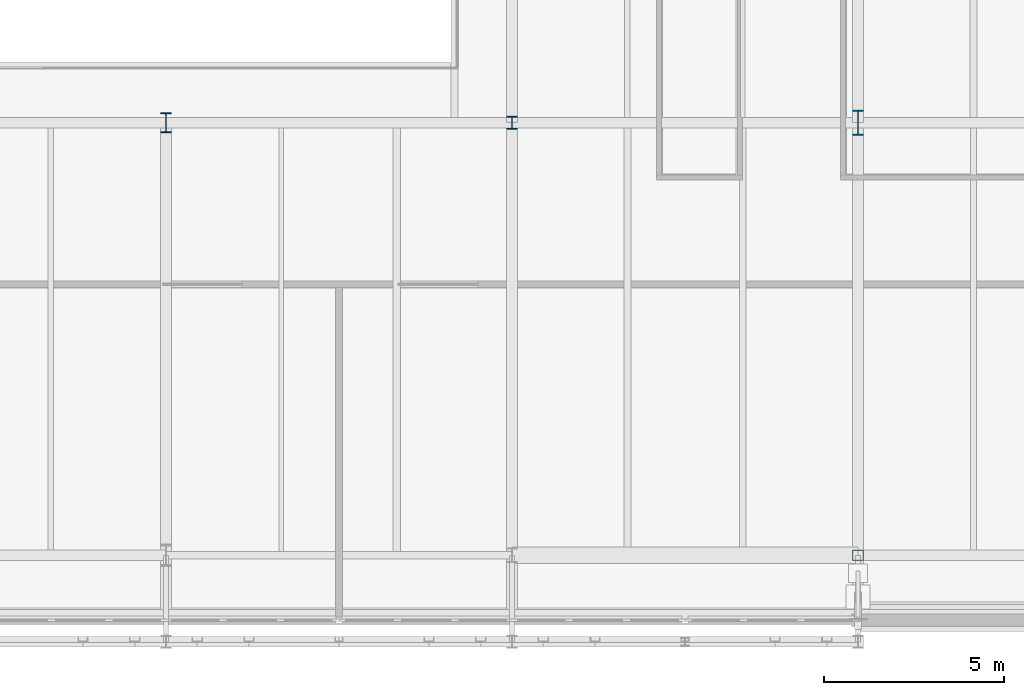
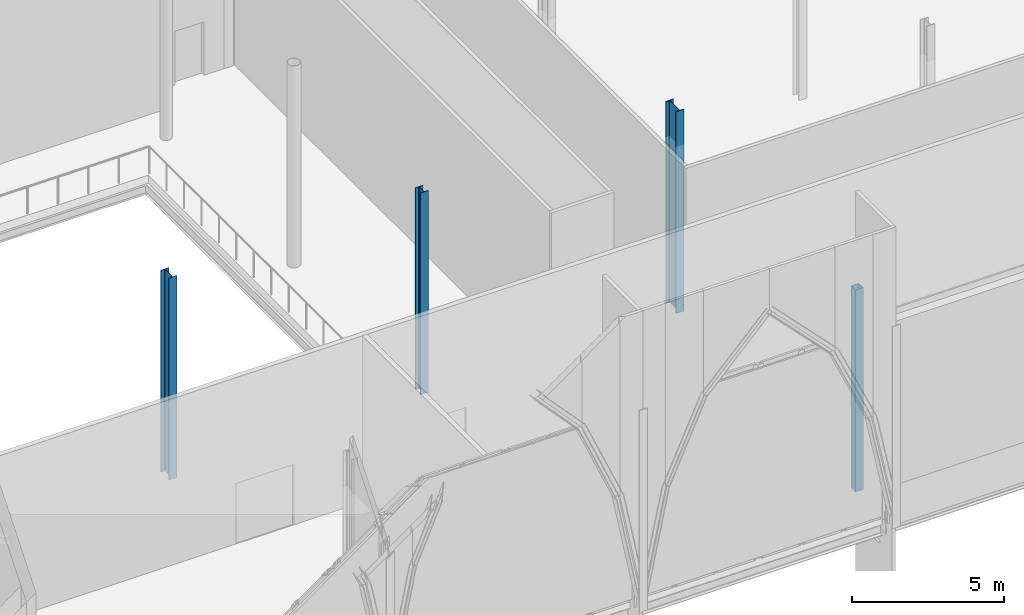
# One storey, part 5 of 79: 4 columns.
"""IFC4 building model written with IfcOpenShell, lengths in metres."""

import ifcopenshell
import ifcopenshell.guid

model = None  # the IFC model being written
_history = None  # IfcOwnerHistory: only IFC2X3 demands one
_inside = {}  # id of a spatial element -> (the spatial element, [elements in it])
_under = {}  # id of a project, library or spatial element -> (it, [spatial elements below it])
_declared = {}  # id of a project -> (the project, [libraries it declares])
_typed = {}  # id of a type object -> (the type object, [elements of that type])
_made_of = {}  # id of a material, layer set ... -> (it, [elements and type objects made of it])


def new_model(schema):
    """Start an empty IFC model of exactly this schema.

    Asked for "IFC4X3", IfcOpenShell would pick the latest addendum, in which some entities
    have other attributes; the version numbers below select the first issue.
    IFC2X3 requires an IfcOwnerHistory on every rooted entity: one is made here for all.
    """
    global model, _history
    if schema == "IFC4X3":
        model = ifcopenshell.file(schema_version=(4, 3, 0, 0))
    else:
        model = ifcopenshell.file(schema=schema)
    _inside.clear()
    _under.clear()
    _declared.clear()
    _typed.clear()
    _made_of.clear()
    _history = None
    if model.schema == "IFC2X3":
        org = make("IfcOrganization", Name="unknown")
        user = make(
            "IfcPersonAndOrganization",
            ThePerson=make("IfcPerson", FamilyName="unknown"),
            TheOrganization=org,
        )
        app = make(
            "IfcApplication",
            ApplicationDeveloper=org,
            Version="unknown",
            ApplicationFullName="unknown",
            ApplicationIdentifier="unknown",
        )
        _history = make(
            "IfcOwnerHistory",
            OwningUser=user,
            OwningApplication=app,
            ChangeAction="ADDED",
            CreationDate=0,
        )
    return model


def make(cls, **values):
    """One entity of the class cls with the attributes given. An attribute that is None is left unset."""
    return model.create_entity(
        cls, **{name: value for name, value in values.items() if value is not None}
    )


def rooted(cls, **values):
    """An entity with a GlobalId (a new one), such as an element, a storey or a relation."""
    return make(cls, GlobalId=ifcopenshell.guid.new(), OwnerHistory=_history, **values)


def si_unit(unit_type, name, prefix=None):
    """IfcSIUnit, for example si_unit("LENGTHUNIT", "METRE", prefix="MILLI")."""
    return make("IfcSIUnit", UnitType=unit_type, Prefix=prefix, Name=name)


def assignment(units):
    """IfcUnitAssignment: the units of a project."""
    return None if units is None else make("IfcUnitAssignment", Units=units)


def point(xyz):
    """IfcCartesianPoint."""
    return None if xyz is None else make("IfcCartesianPoint", Coordinates=xyz)


def direction(xyz):
    """IfcDirection."""
    return None if xyz is None else make("IfcDirection", DirectionRatios=xyz)


def frame(location, z_axis=None, x_axis=None):
    """IfcAxis2Placement3D, a coordinate frame: its origin and axes. An axis left out is left unset."""
    return make(
        "IfcAxis2Placement3D",
        Location=point(location),
        Axis=direction(z_axis),
        RefDirection=direction(x_axis),
    )


def frame_2d(location, x_axis=None):
    """IfcAxis2Placement2D, a coordinate frame in the plane: its origin and x axis."""
    return make(
        "IfcAxis2Placement2D", Location=point(location), RefDirection=direction(x_axis)
    )


def origin():
    """The frame at (0, 0, 0) with its axes left unset."""
    return frame((0.0, 0.0, 0.0))


def origin_2d():
    """The frame at (0, 0) in the plane with its x axis left unset."""
    return frame_2d((0.0, 0.0))


def place(relative_to, where):
    """IfcLocalPlacement: puts the frame where relative to a parent placement (None: the world)."""
    return make(
        "IfcLocalPlacement", PlacementRelTo=relative_to, RelativePlacement=where
    )


def context(
    kind, dimensions, precision=None, world=None, true_north=None, identifier=None
):
    """IfcGeometricRepresentationContext, for example the 3D "Model" context."""
    return make(
        "IfcGeometricRepresentationContext",
        ContextIdentifier=identifier,
        ContextType=kind,
        CoordinateSpaceDimension=dimensions,
        Precision=precision,
        WorldCoordinateSystem=world,
        TrueNorth=true_north,
    )


def subcontext(parent, identifier, kind, view, scale=None):
    """IfcGeometricRepresentationSubContext, for example "Body" below "Model"."""
    return make(
        "IfcGeometricRepresentationSubContext",
        ContextIdentifier=identifier,
        ContextType=kind,
        ParentContext=parent,
        TargetScale=scale,
        TargetView=view,
    )


def project(units=None, contexts=None):
    """IfcProject with its units and contexts."""
    return rooted(
        "IfcProject",
        Name="project",
        RepresentationContexts=contexts,
        UnitsInContext=assignment(units),
    )


def spatial(cls, under=None, at=None, **own):
    """A site, building, storey or space (cls), placed at a placement, below another one or the project."""
    s = rooted(cls, ObjectPlacement=at, **own)
    if under is not None:
        _under.setdefault(under.id(), (under, []))[1].append(s)
    return s


def profile(cls, at=None, kind="AREA", **sizes):
    """A parametric profile (cls). Its sizes go by their IFC names, for example OverallWidth=200.0."""
    return make(cls, ProfileType=kind, Position=at, **sizes)


def hollow_rectangle(**sizes):
    """IfcRectangleHollowProfileDef."""
    return profile("IfcRectangleHollowProfileDef", **sizes)


def i_section(**sizes):
    """IfcIShapeProfileDef."""
    return profile("IfcIShapeProfileDef", **sizes)


def extrude(swept, where, along, depth):
    """IfcExtrudedAreaSolid: the profile swept, set in the frame where, extruded along a direction by depth."""
    return make(
        "IfcExtrudedAreaSolid",
        SweptArea=swept,
        Position=where,
        ExtrudedDirection=direction(along),
        Depth=depth,
    )


def shape(context_of_items, identifier, shape_type, items):
    """IfcShapeRepresentation: the items that make up one representation, for example the "Body"."""
    return make(
        "IfcShapeRepresentation",
        ContextOfItems=context_of_items,
        RepresentationIdentifier=identifier,
        RepresentationType=shape_type,
        Items=items,
    )


def material(Name=None, Category=None):
    """IfcMaterial."""
    return make("IfcMaterial", Name=Name, Category=Category)


def material_profile(
    of_material, cross_section, Name=None, Category=None, Priority=None
):
    """IfcMaterialProfile: a cross section and its material."""
    return make(
        "IfcMaterialProfile",
        Name=Name,
        Material=of_material,
        Profile=cross_section,
        Priority=Priority,
        Category=Category,
    )


def profile_set(profiles, Name=None, composite=None):
    """IfcMaterialProfileSet."""
    return make(
        "IfcMaterialProfileSet",
        Name=Name,
        MaterialProfiles=profiles,
        CompositeProfile=composite,
    )


def made_of(thing, what):
    """Note that an element or type object is made of a material, layer set ...; save() writes the relation."""
    if what is not None:
        _made_of.setdefault(what.id(), (what, []))[1].append(thing)
    return thing


def type_object(cls, material=None, **own):
    """A type object (cls), such as IfcWallType, which elements share."""
    return made_of(rooted(cls, **own), material)


def element(
    cls,
    number,
    at=None,
    inside=None,
    cuts=None,
    type_object=None,
    material=None,
    context=None,
    identifier="Body",
    shape_type=None,
    held_by="IfcProductDefinitionShape",
    body=None,
    shapes=None,
    **own,
):
    """One element of the class cls, such as IfcWall. Its Tag is "e" and its number.

    at: its placement. inside: the storey or other place that contains it. cuts: it is an
    opening in that element (IfcRelVoidsElement). A single representation is given by context,
    identifier, shape_type and body (its items); several are given by shapes. held_by: the class
    of the entity that holds the representations. save() writes the other relations.
    """
    e = rooted(cls, Tag="e%d" % number, ObjectPlacement=at, **own)
    if body is not None:
        shapes = [shape(context, identifier, shape_type, body)]
    if shapes is not None:
        e.Representation = make(held_by, Representations=shapes)
    if inside is not None:
        _inside.setdefault(inside.id(), (inside, []))[1].append(e)
    if cuts is not None:
        rooted(
            "IfcRelVoidsElement", RelatingBuildingElement=cuts, RelatedOpeningElement=e
        )
    if type_object is not None:
        _typed.setdefault(type_object.id(), (type_object, []))[1].append(e)
    return made_of(e, material)


def aggregate(whole, parts):
    """IfcRelAggregates: a whole, such as a stair, and the parts it consists of."""
    return rooted("IfcRelAggregates", RelatingObject=whole, RelatedObjects=parts)


def save(model, path):
    """Write the relations noted so far, then the file.

    IfcRelAggregates (storeys below a building ...), IfcRelContainedInSpatialStructure (elements
    in a storey), IfcRelDefinesByType, IfcRelAssociatesMaterial and IfcRelDeclares: one each for
    every whole, place, type object, material and project.
    """
    for whole, parts in _under.values():
        aggregate(whole, parts)
    for where, things in _inside.values():
        rooted(
            "IfcRelContainedInSpatialStructure",
            RelatedElements=things,
            RelatingStructure=where,
        )
    for kind, things in _typed.values():
        rooted("IfcRelDefinesByType", RelatedObjects=things, RelatingType=kind)
    for what, things in _made_of.values():
        rooted("IfcRelAssociatesMaterial", RelatedObjects=things, RelatingMaterial=what)
    for by, libraries in _declared.values():
        rooted("IfcRelDeclares", RelatingContext=by, RelatedDefinitions=libraries)
    model.write(path)


model = new_model("IFC4")

# Units and contexts
model_context = context("Model", 3, precision=1e-05, world=origin(), true_north=direction((0.0, 1.0)))
body_context = subcontext(model_context, "Body", "Model", "MODEL_VIEW")
ifc_project = project(units=[si_unit("LENGTHUNIT", "METRE"), si_unit("AREAUNIT", "SQUARE_METRE"), si_unit("VOLUMEUNIT", "CUBIC_METRE"), si_unit("PLANEANGLEUNIT", "RADIAN"), si_unit("MASSUNIT", "GRAM", prefix="KILO")], contexts=[model_context])

# Site, building, storey
site_placement = place(None, origin())
site = spatial("IfcSite", under=ifc_project, at=site_placement, CompositionType="ELEMENT")
building_placement = place(site_placement, origin())
building = spatial("IfcBuilding", under=site, at=building_placement, Name="Zereglee Splitstone Museum", CompositionType="ELEMENT")
storey_placement = place(building_placement, frame((0.0, 0.0, 9.0)))
storey = spatial("IfcBuildingStorey", under=building, at=storey_placement, Name="L02", CompositionType="ELEMENT", Elevation=9.0)

# Columns
ifc_material_1 = material(Name="Steel S355J2", Category="steel")
ifc_material_profile_1 = material_profile(ifc_material_1, i_section(OverallWidth=0.300048828125, OverallDepth=0.360107421875, WebThickness=0.012451171875, FlangeThickness=0.0224609375, FilletRadius=0.027099609375, at=origin_2d()), Name="HE 360 B")
ifc_profile_set_1 = profile_set([ifc_material_profile_1], Name="Steel S355J2")
column_type_1 = type_object("IfcColumnType", Name="C-16", PredefinedType="COLUMN", material=ifc_profile_set_1)
column_1_placement = place(storey_placement, frame((116.39990234375, 21.60009765625, 0.0), z_axis=(0.0, 0.0, 1.0), x_axis=(1.0, 0.0, 0.0)))
element("IfcColumn", 1, at=column_1_placement, inside=storey, type_object=column_type_1, Name="Column 14/C L02", PredefinedType="COLUMN", context=body_context, shape_type="SweptSolid", body=[
    extrude(i_section(OverallWidth=0.300048828125, OverallDepth=0.360107421875, WebThickness=0.012451171875, FlangeThickness=0.0224609375, FilletRadius=0.027099609375, at=origin_2d()), origin(), (0.0, 0.0, 1.0), 8.10009765625),
])
ifc_material_profile_2 = material_profile(ifc_material_1, i_section(OverallWidth=0.300048828125, OverallDepth=0.550048828125, WebThickness=0.014892578125, FlangeThickness=0.029052734375, FilletRadius=0.027099609375, at=origin_2d()), Name="HE 550 B")
ifc_profile_set_2 = profile_set([ifc_material_profile_2], Name="Steel S355J2")
column_type_2 = type_object("IfcColumnType", Name="C-12", PredefinedType="COLUMN", material=ifc_profile_set_2)
column_2_placement = place(storey_placement, frame((106.800048828125, 21.60009765625, 0.0), z_axis=(0.0, 0.0, 1.0), x_axis=(1.0, 0.0, 0.0)))
element("IfcColumn", 2, at=column_2_placement, inside=storey, type_object=column_type_2, Name="Column 13/C L02", PredefinedType="COLUMN", context=body_context, shape_type="SweptSolid", body=[
    extrude(i_section(OverallWidth=0.300048828125, OverallDepth=0.550048828125, WebThickness=0.014892578125, FlangeThickness=0.029052734375, FilletRadius=0.027099609375, at=origin_2d()), origin(), (0.0, 0.0, 1.0), 8.10009765625),
])
ifc_material_profile_3 = material_profile(ifc_material_1, i_section(OverallWidth=0.300048828125, OverallDepth=0.699951171875, WebThickness=0.01708984375, FlangeThickness=0.031982421875, FilletRadius=0.027099609375, at=origin_2d()), Name="HE 700 B")
ifc_profile_set_3 = profile_set([ifc_material_profile_3], Name="Steel S355J2")
column_type_3 = type_object("IfcColumnType", Name="C-09", PredefinedType="COLUMN", material=ifc_profile_set_3)
column_3_placement = place(storey_placement, frame((126.0, 21.60009765625, 0.0), z_axis=(0.0, 0.0, 1.0), x_axis=(1.0, 0.0, 0.0)))
element("IfcColumn", 3, at=column_3_placement, inside=storey, type_object=column_type_3, Name="Column 15/C L02", PredefinedType="COLUMN", context=body_context, shape_type="SweptSolid", body=[
    extrude(i_section(OverallWidth=0.300048828125, OverallDepth=0.699951171875, WebThickness=0.01708984375, FlangeThickness=0.031982421875, FilletRadius=0.027099609375, at=origin_2d()), origin(), (0.0, 0.0, 1.0), 8.10009765625),
])
ifc_material_2 = material(Name="Steel S355J2H", Category="steel")
ifc_material_profile_4 = material_profile(ifc_material_2, hollow_rectangle(XDim=0.300048828125, YDim=0.300048828125, WallThickness=0.01611328125, at=origin_2d()), Name="SHS 300x300x16")
ifc_profile_set_4 = profile_set([ifc_material_profile_4], Name="Steel S355J2H")
column_type_4 = type_object("IfcColumnType", Name="C-20", PredefinedType="COLUMN", material=ifc_profile_set_4)
column_4_placement = place(storey_placement, frame((126.0, 9.60009765625, 0.0), z_axis=(0.0, 0.0, 1.0), x_axis=(1.0, 0.0, 0.0)))
element("IfcColumn", 4, at=column_4_placement, inside=storey, type_object=column_type_4, Name="Column 15/B L02", PredefinedType="COLUMN", context=body_context, shape_type="SweptSolid", body=[
    extrude(hollow_rectangle(XDim=0.300048828125, YDim=0.300048828125, WallThickness=0.01611328125, at=origin_2d()), origin(), (0.0, 0.0, 1.0), 8.10009765625),
])

save(model, "model.ifc")
